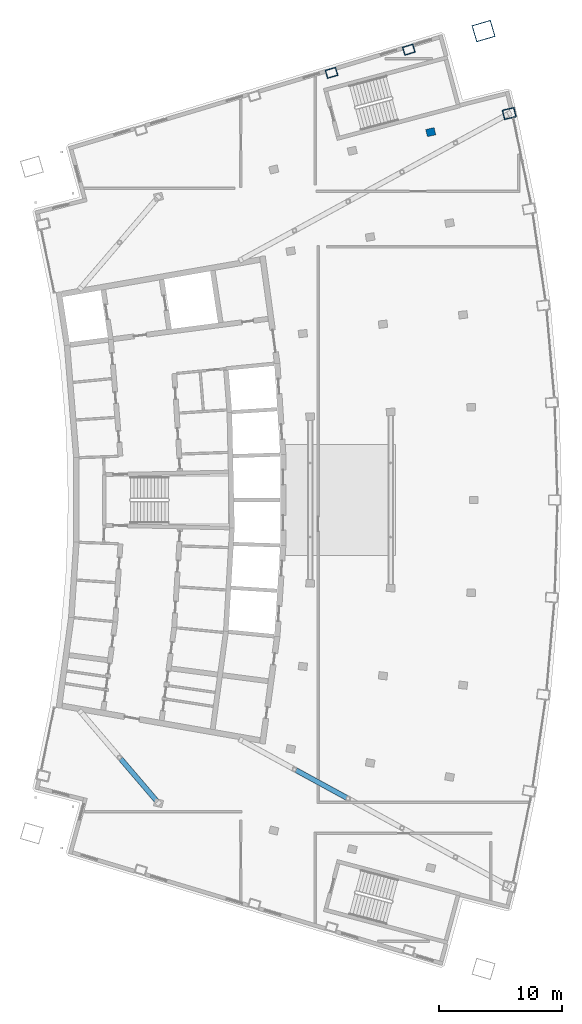
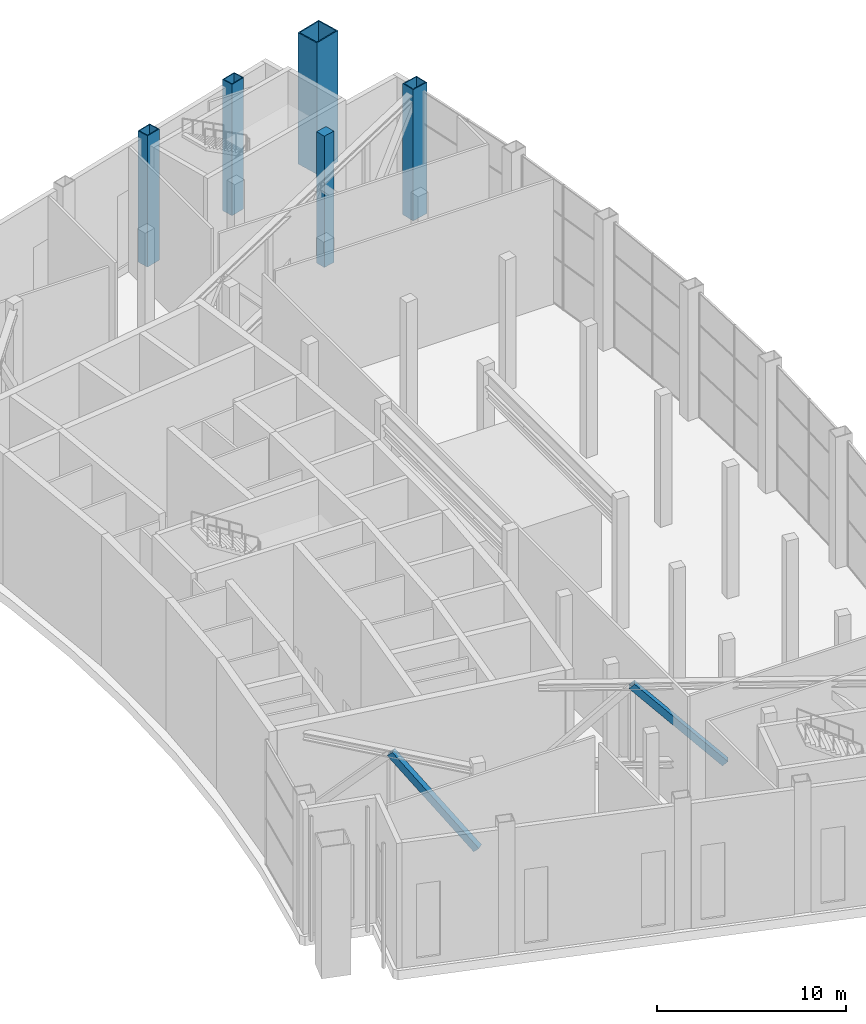
# One storey, part 6 of 25: 5 columns, 2 members.
"""IFC4 building model written with IfcOpenShell, lengths in metres."""

import ifcopenshell
import ifcopenshell.guid

model = None  # the IFC model being written
_history = None  # IfcOwnerHistory: only IFC2X3 demands one
_inside = {}  # id of a spatial element -> (the spatial element, [elements in it])
_under = {}  # id of a project, library or spatial element -> (it, [spatial elements below it])
_declared = {}  # id of a project -> (the project, [libraries it declares])
_typed = {}  # id of a type object -> (the type object, [elements of that type])
_made_of = {}  # id of a material, layer set ... -> (it, [elements and type objects made of it])


def new_model(schema):
    """Start an empty IFC model of exactly this schema.

    Asked for "IFC4X3", IfcOpenShell would pick the latest addendum, in which some entities
    have other attributes; the version numbers below select the first issue.
    IFC2X3 requires an IfcOwnerHistory on every rooted entity: one is made here for all.
    """
    global model, _history
    if schema == "IFC4X3":
        model = ifcopenshell.file(schema_version=(4, 3, 0, 0))
    else:
        model = ifcopenshell.file(schema=schema)
    _inside.clear()
    _under.clear()
    _declared.clear()
    _typed.clear()
    _made_of.clear()
    _history = None
    if model.schema == "IFC2X3":
        org = make("IfcOrganization", Name="unknown")
        user = make(
            "IfcPersonAndOrganization",
            ThePerson=make("IfcPerson", FamilyName="unknown"),
            TheOrganization=org,
        )
        app = make(
            "IfcApplication",
            ApplicationDeveloper=org,
            Version="unknown",
            ApplicationFullName="unknown",
            ApplicationIdentifier="unknown",
        )
        _history = make(
            "IfcOwnerHistory",
            OwningUser=user,
            OwningApplication=app,
            ChangeAction="ADDED",
            CreationDate=0,
        )
    return model


def make(cls, **values):
    """One entity of the class cls with the attributes given. An attribute that is None is left unset."""
    return model.create_entity(
        cls, **{name: value for name, value in values.items() if value is not None}
    )


def rooted(cls, **values):
    """An entity with a GlobalId (a new one), such as an element, a storey or a relation."""
    return make(cls, GlobalId=ifcopenshell.guid.new(), OwnerHistory=_history, **values)


def si_unit(unit_type, name, prefix=None):
    """IfcSIUnit, for example si_unit("LENGTHUNIT", "METRE", prefix="MILLI")."""
    return make("IfcSIUnit", UnitType=unit_type, Prefix=prefix, Name=name)


def assignment(units):
    """IfcUnitAssignment: the units of a project."""
    return None if units is None else make("IfcUnitAssignment", Units=units)


def point(xyz):
    """IfcCartesianPoint."""
    return None if xyz is None else make("IfcCartesianPoint", Coordinates=xyz)


def direction(xyz):
    """IfcDirection."""
    return None if xyz is None else make("IfcDirection", DirectionRatios=xyz)


def frame(location, z_axis=None, x_axis=None):
    """IfcAxis2Placement3D, a coordinate frame: its origin and axes. An axis left out is left unset."""
    return make(
        "IfcAxis2Placement3D",
        Location=point(location),
        Axis=direction(z_axis),
        RefDirection=direction(x_axis),
    )


def frame_2d(location, x_axis=None):
    """IfcAxis2Placement2D, a coordinate frame in the plane: its origin and x axis."""
    return make(
        "IfcAxis2Placement2D", Location=point(location), RefDirection=direction(x_axis)
    )


def origin():
    """The frame at (0, 0, 0) with its axes left unset."""
    return frame((0.0, 0.0, 0.0))


def origin_2d():
    """The frame at (0, 0) in the plane with its x axis left unset."""
    return frame_2d((0.0, 0.0))


def place(relative_to, where):
    """IfcLocalPlacement: puts the frame where relative to a parent placement (None: the world)."""
    return make(
        "IfcLocalPlacement", PlacementRelTo=relative_to, RelativePlacement=where
    )


def context(
    kind, dimensions, precision=None, world=None, true_north=None, identifier=None
):
    """IfcGeometricRepresentationContext, for example the 3D "Model" context."""
    return make(
        "IfcGeometricRepresentationContext",
        ContextIdentifier=identifier,
        ContextType=kind,
        CoordinateSpaceDimension=dimensions,
        Precision=precision,
        WorldCoordinateSystem=world,
        TrueNorth=true_north,
    )


def subcontext(parent, identifier, kind, view, scale=None):
    """IfcGeometricRepresentationSubContext, for example "Body" below "Model"."""
    return make(
        "IfcGeometricRepresentationSubContext",
        ContextIdentifier=identifier,
        ContextType=kind,
        ParentContext=parent,
        TargetScale=scale,
        TargetView=view,
    )


def project(units=None, contexts=None):
    """IfcProject with its units and contexts."""
    return rooted(
        "IfcProject",
        Name="project",
        RepresentationContexts=contexts,
        UnitsInContext=assignment(units),
    )


def spatial(cls, under=None, at=None, **own):
    """A site, building, storey or space (cls), placed at a placement, below another one or the project."""
    s = rooted(cls, ObjectPlacement=at, **own)
    if under is not None:
        _under.setdefault(under.id(), (under, []))[1].append(s)
    return s


def profile(cls, at=None, kind="AREA", **sizes):
    """A parametric profile (cls). Its sizes go by their IFC names, for example OverallWidth=200.0."""
    return make(cls, ProfileType=kind, Position=at, **sizes)


def rectangle(**sizes):
    """IfcRectangleProfileDef."""
    return profile("IfcRectangleProfileDef", **sizes)


def hollow_rectangle(**sizes):
    """IfcRectangleHollowProfileDef."""
    return profile("IfcRectangleHollowProfileDef", **sizes)


def extrude(swept, where, along, depth):
    """IfcExtrudedAreaSolid: the profile swept, set in the frame where, extruded along a direction by depth."""
    return make(
        "IfcExtrudedAreaSolid",
        SweptArea=swept,
        Position=where,
        ExtrudedDirection=direction(along),
        Depth=depth,
    )


def shape(context_of_items, identifier, shape_type, items):
    """IfcShapeRepresentation: the items that make up one representation, for example the "Body"."""
    return make(
        "IfcShapeRepresentation",
        ContextOfItems=context_of_items,
        RepresentationIdentifier=identifier,
        RepresentationType=shape_type,
        Items=items,
    )


def material(Name=None, Category=None):
    """IfcMaterial."""
    return make("IfcMaterial", Name=Name, Category=Category)


def material_profile(
    of_material, cross_section, Name=None, Category=None, Priority=None
):
    """IfcMaterialProfile: a cross section and its material."""
    return make(
        "IfcMaterialProfile",
        Name=Name,
        Material=of_material,
        Profile=cross_section,
        Priority=Priority,
        Category=Category,
    )


def profile_set(profiles, Name=None, composite=None):
    """IfcMaterialProfileSet."""
    return make(
        "IfcMaterialProfileSet",
        Name=Name,
        MaterialProfiles=profiles,
        CompositeProfile=composite,
    )


def made_of(thing, what):
    """Note that an element or type object is made of a material, layer set ...; save() writes the relation."""
    if what is not None:
        _made_of.setdefault(what.id(), (what, []))[1].append(thing)
    return thing


def type_object(cls, material=None, **own):
    """A type object (cls), such as IfcWallType, which elements share."""
    return made_of(rooted(cls, **own), material)


def element(
    cls,
    number,
    at=None,
    inside=None,
    cuts=None,
    type_object=None,
    material=None,
    context=None,
    identifier="Body",
    shape_type=None,
    held_by="IfcProductDefinitionShape",
    body=None,
    shapes=None,
    **own,
):
    """One element of the class cls, such as IfcWall. Its Tag is "e" and its number.

    at: its placement. inside: the storey or other place that contains it. cuts: it is an
    opening in that element (IfcRelVoidsElement). A single representation is given by context,
    identifier, shape_type and body (its items); several are given by shapes. held_by: the class
    of the entity that holds the representations. save() writes the other relations.
    """
    e = rooted(cls, Tag="e%d" % number, ObjectPlacement=at, **own)
    if body is not None:
        shapes = [shape(context, identifier, shape_type, body)]
    if shapes is not None:
        e.Representation = make(held_by, Representations=shapes)
    if inside is not None:
        _inside.setdefault(inside.id(), (inside, []))[1].append(e)
    if cuts is not None:
        rooted(
            "IfcRelVoidsElement", RelatingBuildingElement=cuts, RelatedOpeningElement=e
        )
    if type_object is not None:
        _typed.setdefault(type_object.id(), (type_object, []))[1].append(e)
    return made_of(e, material)


def aggregate(whole, parts):
    """IfcRelAggregates: a whole, such as a stair, and the parts it consists of."""
    return rooted("IfcRelAggregates", RelatingObject=whole, RelatedObjects=parts)


def save(model, path):
    """Write the relations noted so far, then the file.

    IfcRelAggregates (storeys below a building ...), IfcRelContainedInSpatialStructure (elements
    in a storey), IfcRelDefinesByType, IfcRelAssociatesMaterial and IfcRelDeclares: one each for
    every whole, place, type object, material and project.
    """
    for whole, parts in _under.values():
        aggregate(whole, parts)
    for where, things in _inside.values():
        rooted(
            "IfcRelContainedInSpatialStructure",
            RelatedElements=things,
            RelatingStructure=where,
        )
    for kind, things in _typed.values():
        rooted("IfcRelDefinesByType", RelatedObjects=things, RelatingType=kind)
    for what, things in _made_of.values():
        rooted("IfcRelAssociatesMaterial", RelatedObjects=things, RelatingMaterial=what)
    for by, libraries in _declared.values():
        rooted("IfcRelDeclares", RelatingContext=by, RelatedDefinitions=libraries)
    model.write(path)


model = new_model("IFC4")

# Units and contexts
model_context = context("Model", 3, precision=1e-05, world=origin(), true_north=direction((0.0, 1.0)))
body_context = subcontext(model_context, "Body", "Model", "MODEL_VIEW")
ifc_project = project(units=[si_unit("LENGTHUNIT", "METRE"), si_unit("AREAUNIT", "SQUARE_METRE"), si_unit("VOLUMEUNIT", "CUBIC_METRE"), si_unit("PLANEANGLEUNIT", "RADIAN"), si_unit("MASSUNIT", "GRAM", prefix="KILO")], contexts=[model_context])

# Site, building, storey
site_placement = place(None, origin())
site = spatial("IfcSite", under=ifc_project, at=site_placement, CompositionType="ELEMENT")
building_placement = place(site_placement, origin())
building = spatial("IfcBuilding", under=site, at=building_placement, Name="Alderwake Tower", CompositionType="ELEMENT")
storey_placement = place(building_placement, frame((0.0, 0.0, 296.0)))
storey = spatial("IfcBuildingStorey", under=building, at=storey_placement, Name="L73", CompositionType="ELEMENT", Elevation=296.0)

# Columns
ifc_material_1 = material(Name="Steel ASTM A572 Grade 50 concrete filled C70/85", Category="concrete")
ifc_material_profile_1 = material_profile(ifc_material_1, hollow_rectangle(XDim=0.699951171875, YDim=0.89990234375, WallThickness=0.050048828125, at=origin_2d()), Name="BOX 900X700X50")
ifc_profile_set_1 = profile_set([ifc_material_profile_1], Name="Steel ASTM A572 Grade 50 concrete filled C70/85")
column_type_1 = type_object("IfcColumnType", Name="End column Z5", PredefinedType="COLUMN", material=ifc_profile_set_1)
for number, where, z_axis, x_axis, name in (
    (1, (37.337890625, 95.601806640625, 0.0), (0.0, 0.0, 1.0), (-0.282847061859, 0.959165022088, 0.0), "Column R12-C3"),
    (2, (43.59521484375, 97.48046875, 0.0), (0.0, 0.0, 1.0), (-0.283086443451, 0.959094398656, 0.0), "Column R12-C4"),
):
    element("IfcColumn", number, at=place(storey_placement, frame(where, z_axis=z_axis, x_axis=x_axis)), inside=storey, type_object=column_type_1, Name=name, PredefinedType="COLUMN", context=body_context, shape_type="SweptSolid", body=[
        extrude(hollow_rectangle(XDim=0.699951171875, YDim=0.89990234375, WallThickness=0.050048828125, at=origin_2d()), origin(), (0.0, 0.0, 1.0), 8.5),
    ])
ifc_material_2 = material(Name="Concrete C70/85", Category="concrete")
ifc_material_profile_2 = material_profile(ifc_material_2, rectangle(XDim=0.60009765625, YDim=0.699951171875, at=origin_2d()), Name="RC 700X600")
ifc_profile_set_2 = profile_set([ifc_material_profile_2], Name="Concrete C70/85")
column_type_2 = type_object("IfcColumnType", Name="Interior column Z5", PredefinedType="COLUMN", material=ifc_profile_set_2)
column_1_placement = place(storey_placement, frame((45.37451171875, 90.796875, 0.0), z_axis=(0.0, 0.0, 1.0), x_axis=(-0.231221547198, 0.972901123502, 0.0)))
element("IfcColumn", 3, at=column_1_placement, inside=storey, type_object=column_type_2, Name="Column R11-C4", PredefinedType="COLUMN", context=body_context, shape_type="SweptSolid", body=[
    extrude(rectangle(XDim=0.60009765625, YDim=0.699951171875, at=origin_2d()), origin(), (0.0, 0.0, 1.0), 8.5),
])
ifc_material_3 = material(Name="Steel ASTM A572 Grade 50 concrete filled C70/85", Category="concrete")
ifc_material_profile_3 = material_profile(ifc_material_3, hollow_rectangle(XDim=1.39990234375, YDim=1.60009765625, WallThickness=0.070068359375, at=origin_2d()), Name="BOX 1600X1400X70")
ifc_profile_set_3 = profile_set([ifc_material_profile_3], Name="Steel ASTM A572 Grade 50 concrete filled C70/85")
column_type_3 = type_object("IfcColumnType", Name="Mega column Z5", PredefinedType="COLUMN", material=ifc_profile_set_3)
column_2_placement = place(storey_placement, frame((49.6494140625, 98.98681640625, 0.0), z_axis=(0.0, 0.0, 1.0), x_axis=(-0.281175922972, 0.959656240714, 0.0)))
element("IfcColumn", 4, at=column_2_placement, inside=storey, type_object=column_type_3, Name="Column R12-C5", PredefinedType="COLUMN", context=body_context, shape_type="SweptSolid", body=[
    extrude(hollow_rectangle(XDim=1.39990234375, YDim=1.60009765625, WallThickness=0.070068359375, at=origin_2d()), origin(), (0.0, 0.0, 1.0), 8.5),
])
ifc_material_4 = material(Name="Steel ASTM A572 Grade 50 concrete filled C70/85", Category="concrete")
ifc_material_profile_4 = material_profile(ifc_material_4, hollow_rectangle(XDim=0.800048828125, YDim=1.0, WallThickness=0.054931640625, at=origin_2d()), Name="BOX 1000X800X55")
ifc_profile_set_4 = profile_set([ifc_material_profile_4], Name="Steel ASTM A572 Grade 50 concrete filled C70/85")
column_type_4 = type_object("IfcColumnType", Name="Perimeter column Z5", PredefinedType="COLUMN", material=ifc_profile_set_4)
column_3_placement = place(storey_placement, frame((51.730712890625, 92.307373046875, 0.0), z_axis=(0.0, 0.0, 1.0), x_axis=(-0.231221547198, 0.972901123502, 0.0)))
element("IfcColumn", 5, at=column_3_placement, inside=storey, type_object=column_type_4, Name="Column R11-C5", PredefinedType="COLUMN", context=body_context, shape_type="SweptSolid", body=[
    extrude(hollow_rectangle(XDim=0.800048828125, YDim=1.0, WallThickness=0.054931640625, at=origin_2d()), origin(), (0.0, 0.0, 1.0), 8.5),
])

# Members
ifc_material_5 = material(Name="Steel ASTM A500 Grade C", Category="steel")
ifc_material_profile_5 = material_profile(ifc_material_5, hollow_rectangle(XDim=0.406494140625, YDim=0.406494140625, WallThickness=0.014892578125, at=origin_2d()), Name="HSS16X16X5/8")
ifc_profile_set_5 = profile_set([ifc_material_profile_5], Name="Steel ASTM A500 Grade C")
member_type = type_object("IfcMemberType", Name="Outrigger truss diagonal HSS16X16X5/8", PredefinedType="BRACE", material=ifc_profile_set_5)
member_1_placement = place(storey_placement, frame((23.322021484375, 36.444091796875, 2.7822265625), z_axis=(-0.449246088757, 0.525906048797, 0.722219343119), x_axis=(-0.760348921589, -0.649514832346, 0.0)))
element("IfcMember", 6, at=member_1_placement, inside=storey, type_object=member_type, Name="Outrigger truss diagonal DT73SR.D2", PredefinedType="BRACE", context=body_context, shape_type="SweptSolid", body=[
    extrude(hollow_rectangle(XDim=0.406494140625, YDim=0.406494140625, WallThickness=0.014892578125, at=origin_2d()), origin(), (0.0, 0.0, 1.0), 7.04150390625),
])
member_2_placement = place(storey_placement, frame((38.688720703125, 36.808349609375, 2.7822265625), z_axis=(-0.61244920085, 0.334135114632, 0.716421455254), x_axis=(-0.478931570969, -0.877852237184, 0.0)))
element("IfcMember", 7, at=member_2_placement, inside=storey, type_object=member_type, Name="Outrigger truss diagonal DT73SF.D2", PredefinedType="BRACE", context=body_context, shape_type="SweptSolid", body=[
    extrude(hollow_rectangle(XDim=0.406494140625, YDim=0.406494140625, WallThickness=0.014892578125, at=origin_2d()), origin(), (0.0, 0.0, 1.0), 7.098388671875),
])

save(model, "model.ifc")
